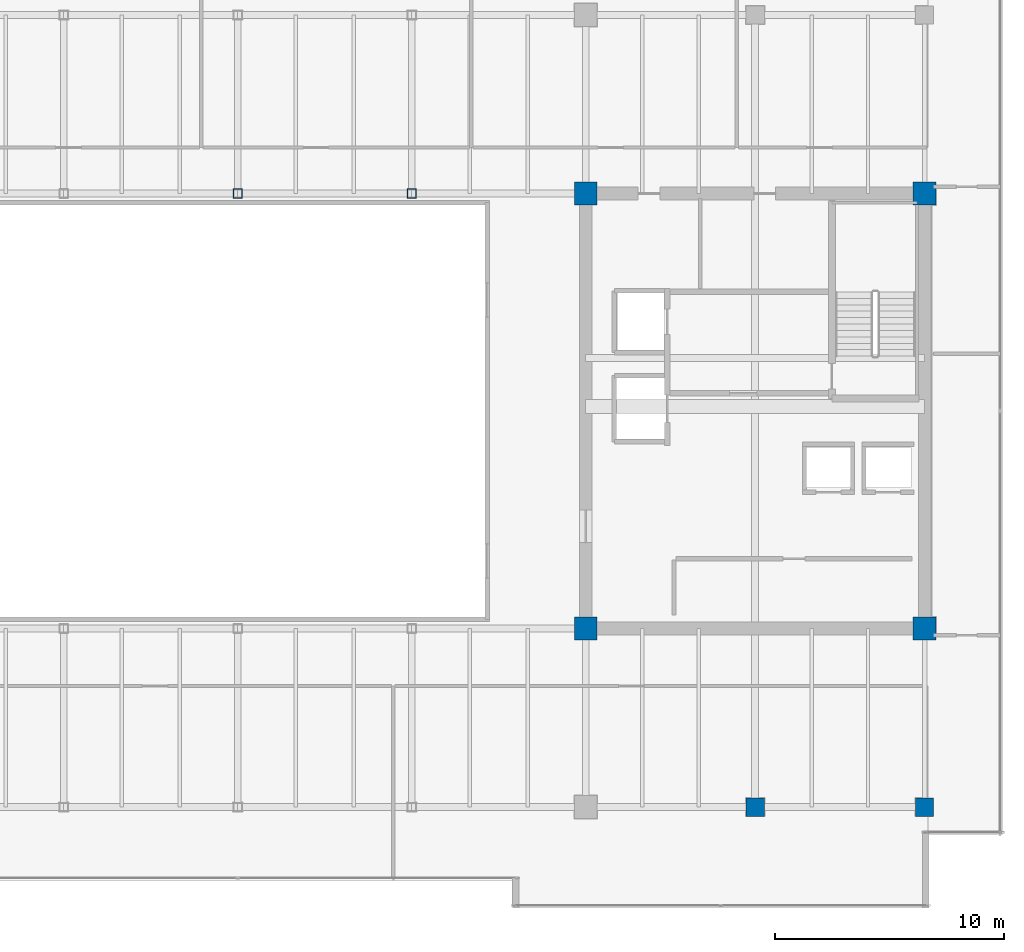
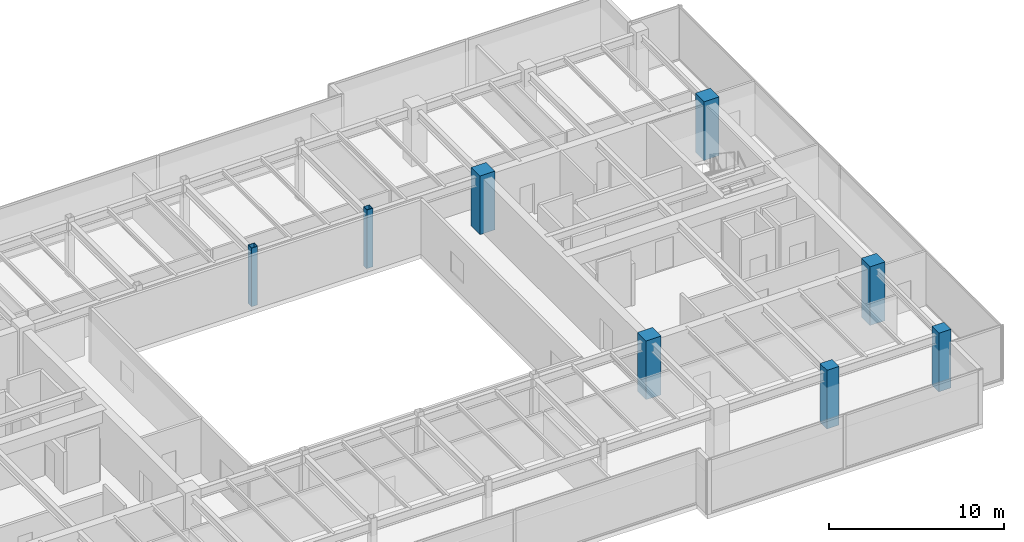
# One storey, part 2 of 35: 8 columns.
"""IFC4 building model written with IfcOpenShell, lengths in metres."""

from ifc_helpers import new_model, si_unit, direction, frame, origin, origin_2d, place, context, subcontext, project, spatial, rectangle, hollow_rectangle, extrude, source, transform, mapped, material, material_profile, profile_set, type_object, type_shapes, element, save


model = new_model("IFC4")

# Units and contexts
model_context = context("Model", 3, precision=1e-05, world=origin(), true_north=direction((0.0, 1.0)))
body_context = subcontext(model_context, "Body", "Model", "MODEL_VIEW")
ifc_project = project(units=[si_unit("LENGTHUNIT", "METRE"), si_unit("AREAUNIT", "SQUARE_METRE"), si_unit("VOLUMEUNIT", "CUBIC_METRE"), si_unit("PLANEANGLEUNIT", "RADIAN"), si_unit("MASSUNIT", "GRAM", prefix="KILO")], contexts=[model_context])

# Site, building, storey
site_placement = place(None, origin())
site = spatial("IfcSite", under=ifc_project, at=site_placement, CompositionType="ELEMENT")
building_placement = place(site_placement, origin())
building = spatial("IfcBuilding", under=site, at=building_placement, Name="Haelvirn Gate Laboratories", CompositionType="ELEMENT")
storey_placement = place(building_placement, frame((0.0, 0.0, 234.199951171875)))
storey = spatial("IfcBuildingStorey", under=building, at=storey_placement, Name="L56", CompositionType="ELEMENT", Elevation=234.199951171875)

# Columns
ifc_material_1 = material(Name="Concrete C60/75", Category="concrete")
ifc_material_profile_1 = material_profile(ifc_material_1, rectangle(XDim=1.0, YDim=1.0, at=origin_2d()), Name="RC-1000x1000")
ifc_profile_set_1 = profile_set([ifc_material_profile_1], Name="Concrete C60/75")
column_type_1 = type_object("IfcColumnType", Name="COL-RC-1000", PredefinedType="COLUMN", material=ifc_profile_set_1)
shared_shape_1 = source(origin(), body_context, "Body", "SweptSolid", [
    extrude(rectangle(XDim=1.0, YDim=1.0, at=origin_2d()), origin(), (0.0, 0.0, 1.0), 4.10009765625),
])
type_shapes(column_type_1, [shared_shape_1])
for number, where, z_axis, x_axis, name in (
    (1, (52.60009765625, 14.800048828125, 0.0), (0.0, 0.0, 1.0), (1.0, 0.0, 0.0), "L56 Column 8C"),
    (2, (67.39990234375, 14.800048828125, 0.0), (0.0, 0.0, 1.0), (1.0, 0.0, 0.0), "L56 Column 10C"),
    (3, (52.60009765625, 33.800048828125, 0.0), (0.0, 0.0, 1.0), (1.0, 0.0, 0.0), "L56 Column 8F"),
    (4, (67.39990234375, 33.800048828125, 0.0), (0.0, 0.0, 1.0), (1.0, 0.0, 0.0), "L56 Column 10F"),
):
    element("IfcColumn", number, at=place(storey_placement, frame(where, z_axis=z_axis, x_axis=x_axis)), inside=storey, type_object=column_type_1, Name=name, PredefinedType="COLUMN", context=body_context, shape_type="MappedRepresentation", body=[
        mapped(shared_shape_1, transform((0.0, 0.0, 0.0), scale=1.0)),
    ])
ifc_material_2 = material(Name="Concrete C50/60", Category="concrete")
ifc_material_profile_2 = material_profile(ifc_material_2, rectangle(XDim=0.800048828125, YDim=0.800048828125, at=origin_2d()), Name="RC-800x800")
ifc_profile_set_2 = profile_set([ifc_material_profile_2], Name="Concrete C50/60")
column_type_2 = type_object("IfcColumnType", Name="COL-RC-800", PredefinedType="COLUMN", material=ifc_profile_set_2)
shared_shape_2 = source(origin(), body_context, "Body", "SweptSolid", [
    extrude(rectangle(XDim=0.800048828125, YDim=0.800048828125, at=origin_2d()), origin(), (0.0, 0.0, 1.0), 4.10009765625),
])
type_shapes(column_type_2, [shared_shape_2])
for number, where, z_axis, x_axis, name in (
    (5, (60.0, 7.0, 0.0), (0.0, 0.0, 1.0), (1.0, 0.0, 0.0), "L56 Column 9B"),
    (6, (67.39990234375, 7.0, 0.0), (0.0, 0.0, 1.0), (1.0, 0.0, 0.0), "L56 Column 10B"),
):
    element("IfcColumn", number, at=place(storey_placement, frame(where, z_axis=z_axis, x_axis=x_axis)), inside=storey, type_object=column_type_2, Name=name, PredefinedType="COLUMN", context=body_context, shape_type="MappedRepresentation", body=[
        mapped(shared_shape_2, transform((0.0, 0.0, 0.0), scale=1.0)),
    ])
ifc_material_3 = material(Name="Steel SM355", Category="steel")
ifc_material_profile_3 = material_profile(ifc_material_3, hollow_rectangle(XDim=0.39990234375, YDim=0.39990234375, WallThickness=0.01904296875, at=origin_2d()), Name="BOX-400x400x19")
ifc_profile_set_3 = profile_set([ifc_material_profile_3], Name="Steel SM355")
column_type_3 = type_object("IfcColumnType", Name="COL-BOX-400", PredefinedType="COLUMN", material=ifc_profile_set_3)
shared_shape_3 = source(origin(), body_context, "Body", "SweptSolid", [
    extrude(hollow_rectangle(XDim=0.39990234375, YDim=0.39990234375, WallThickness=0.01904296875, at=origin_2d()), origin(), (0.0, 0.0, 1.0), 4.10009765625),
])
type_shapes(column_type_3, [shared_shape_3])
for number, where, z_axis, x_axis, name in (
    (7, (37.39990234375, 33.800048828125, 0.0), (0.0, 0.0, 1.0), (1.0, 0.0, 0.0), "L56 Column 6F"),
    (8, (45.0, 33.800048828125, 0.0), (0.0, 0.0, 1.0), (1.0, 0.0, 0.0), "L56 Column 7F"),
):
    element("IfcColumn", number, at=place(storey_placement, frame(where, z_axis=z_axis, x_axis=x_axis)), inside=storey, type_object=column_type_3, Name=name, PredefinedType="COLUMN", context=body_context, shape_type="MappedRepresentation", body=[
        mapped(shared_shape_3, transform((0.0, 0.0, 0.0), scale=1.0)),
    ])

save(model, "model.ifc")
